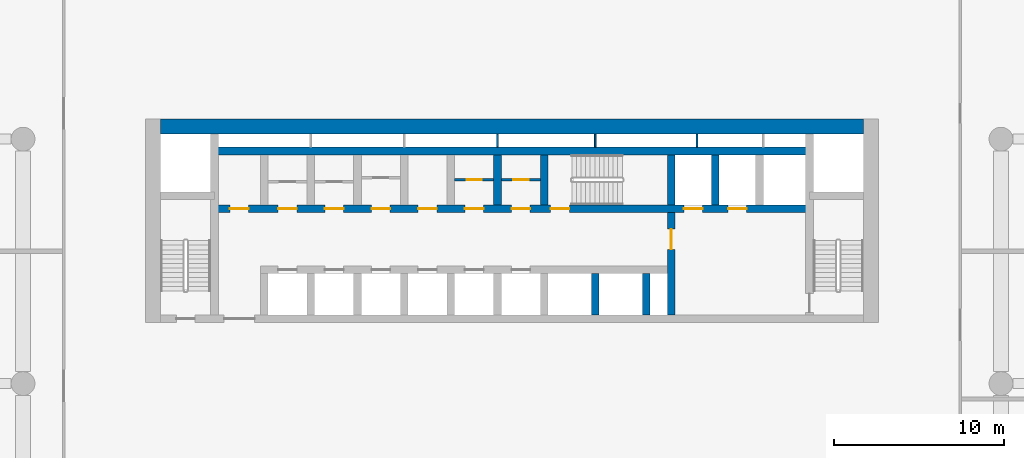
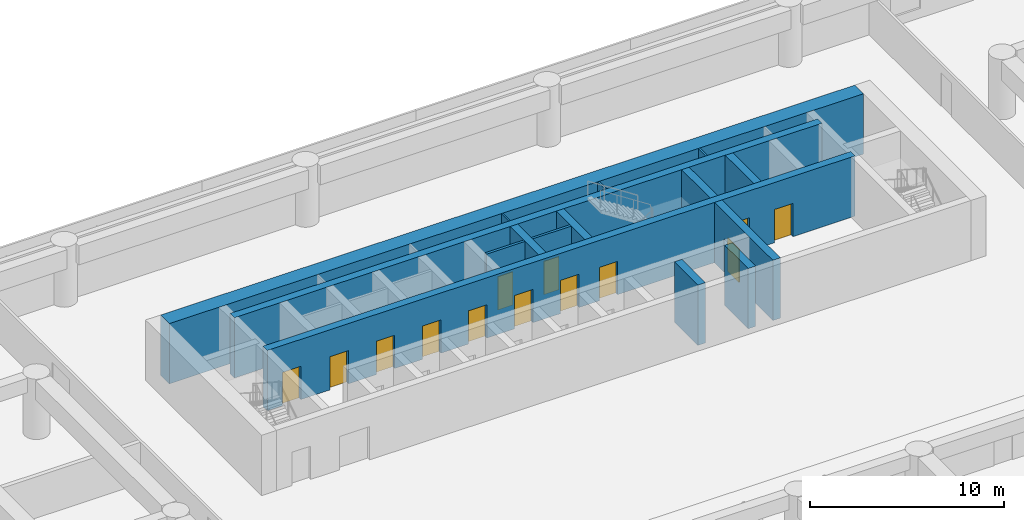
# One storey, part 8 of 24: 15 walls, 13 doors, 13 openings.
"""IFC4 building model written with IfcOpenShell, lengths in metres."""

from ifc_helpers import new_model, si_unit, direction, frame, frame_2d, origin, place, context, subcontext, project, spatial, rectangle, extrude, material, layer, layer_set, type_object, element, fill, save


model = new_model("IFC4")

# Units and contexts
model_context = context("Model", 3, precision=1e-05, world=origin(), true_north=direction((0.0, 1.0)))
body_context = subcontext(model_context, "Body", "Model", "MODEL_VIEW")
ifc_project = project(units=[si_unit("LENGTHUNIT", "METRE"), si_unit("AREAUNIT", "SQUARE_METRE"), si_unit("VOLUMEUNIT", "CUBIC_METRE"), si_unit("PLANEANGLEUNIT", "RADIAN"), si_unit("MASSUNIT", "GRAM", prefix="KILO")], contexts=[model_context])

# Site, building, storey
site_placement = place(None, origin())
site = spatial("IfcSite", under=ifc_project, at=site_placement, CompositionType="ELEMENT")
building_placement = place(site_placement, origin())
building = spatial("IfcBuilding", under=site, at=building_placement, Name="Saffron Iwan Residences", CompositionType="ELEMENT")
storey_placement = place(building_placement, frame((0.0, 0.0, 13.199951171875)))
storey = spatial("IfcBuildingStorey", under=building, at=storey_placement, Name="L02", CompositionType="ELEMENT", Elevation=13.199951171875)

# Wall, opening, door
ifc_material_1 = material(Name="Fire-rated plasterboard partition")
ifc_layer_1 = layer(ifc_material_1, 0.14990234375)
ifc_layer_set_1 = layer_set([ifc_layer_1], Name="Fire-rated plasterboard partition")
wall_type_1 = type_object("IfcWallType", Name="Core partition 150", PredefinedType="PARTITIONING", material=ifc_layer_set_1)
wall_1_placement = place(storey_placement, frame((47.02490234375, 74.39990234375, 0.0), z_axis=(0.0, 0.0, 1.0), x_axis=(1.0, 0.0, 0.0)))
wall_1 = element("IfcWall", 1, at=wall_1_placement, inside=storey, type_object=wall_type_1, Name="Core partition P04", PredefinedType="PARTITIONING", context=body_context, shape_type="SweptSolid", body=[
    extrude(rectangle(XDim=2.300048828125, YDim=0.14990234375, at=frame_2d((1.14990234375, 0.0))), origin(), (0.0, 0.0, 1.0), 3.800048828125),
])
opening_1_placement = place(wall_1_placement, frame((0.699951171875, 0.0, 0.0)))
opening_1 = element("IfcOpeningElement", 2, at=opening_1_placement, cuts=wall_1, Name="Opening SB", PredefinedType="OPENING", context=body_context, shape_type="SweptSolid", body=[
    extrude(rectangle(XDim=0.89990234375, YDim=2.10009765625, at=frame_2d((0.449951171875, 1.050048828125))), frame((0.0, 0.0849609375, 0.0), z_axis=(0.0, -1.0, 0.0), x_axis=(1.0, 0.0, 0.0)), (0.0, 0.0, 1.0), 0.169921875),
])
ifc_material_2 = material(Name="Steel fire door", Category="steel")
door_type_1 = type_object("IfcDoorType", Name="Store door 900", OperationType="NOTDEFINED", PredefinedType="DOOR", material=ifc_material_2)
door_1_placement = place(opening_1_placement, origin())
door_1 = element("IfcDoor", 3, at=door_1_placement, inside=storey, type_object=door_type_1, Name="Door Spares store", OperationType="SINGLE_SWING_LEFT", OverallHeight=2.10009765625, OverallWidth=0.89990234375, PredefinedType="DOOR", context=body_context, shape_type="SweptSolid", body=[
    extrude(rectangle(XDim=0.89990234375, YDim=2.10009765625, at=frame_2d((0.449951171875, 1.050048828125))), frame((0.0, 0.02490234375, 0.0), z_axis=(0.0, -1.0, 0.0), x_axis=(1.0, 0.0, 0.0)), (0.0, 0.0, 1.0), 0.050048828125),
])
fill(opening_1, door_1)

wall_2_placement = place(storey_placement, frame((49.77490234375, 74.39990234375, 0.0), z_axis=(0.0, 0.0, 1.0), x_axis=(1.0, 0.0, 0.0)))
wall_2 = element("IfcWall", 4, at=wall_2_placement, inside=storey, type_object=wall_type_1, Name="Core partition P05", PredefinedType="PARTITIONING", context=body_context, shape_type="SweptSolid", body=[
    extrude(rectangle(XDim=2.300048828125, YDim=0.14990234375, at=frame_2d((1.14990234375, 0.0))), origin(), (0.0, 0.0, 1.0), 3.800048828125),
])
opening_2_placement = place(wall_2_placement, frame((0.699951171875, 0.0, 0.0)))
opening_2 = element("IfcOpeningElement", 5, at=opening_2_placement, cuts=wall_2, Name="Opening SB", PredefinedType="OPENING", context=body_context, shape_type="SweptSolid", body=[
    extrude(rectangle(XDim=0.89990234375, YDim=2.10009765625, at=frame_2d((0.449951171875, 1.050048828125))), frame((0.0, 0.0849609375, 0.0), z_axis=(0.0, -1.0, 0.0), x_axis=(1.0, 0.0, 0.0)), (0.0, 0.0, 1.0), 0.169921875),
])
door_2_placement = place(opening_2_placement, origin())
door_2 = element("IfcDoor", 6, at=door_2_placement, inside=storey, type_object=door_type_1, Name="Door Battery room", OperationType="SINGLE_SWING_RIGHT", OverallHeight=2.10009765625, OverallWidth=0.89990234375, PredefinedType="DOOR", context=body_context, shape_type="SweptSolid", body=[
    extrude(rectangle(XDim=0.89990234375, YDim=2.10009765625, at=frame_2d((0.449951171875, 1.050048828125))), frame((0.0, 0.02490234375, 0.0), z_axis=(0.0, -1.0, 0.0), x_axis=(1.0, 0.0, 0.0)), (0.0, 0.0, 1.0), 0.050048828125),
])
fill(opening_2, door_2)

# Walls
ifc_layer_2 = layer(ifc_material_1, 0.10009765625)
ifc_layer_set_2 = layer_set([ifc_layer_2], Name="Fire-rated plasterboard partition")
wall_type_2 = type_object("IfcWallType", Name="Riser partition 100", PredefinedType="PARTITIONING", material=ifc_layer_set_2)
for number, where, z_axis, x_axis, name in (
    (7, (49.550048828125, 76.324951171875, 0.0), (0.0, 0.0, 1.0), (0.0, 1.0, 0.0), "Core partition P08"),
    (8, (55.300048828125, 76.324951171875, 0.0), (0.0, 0.0, 1.0), (0.0, 1.0, 0.0), "Core partition P09"),
    (9, (61.300048828125, 76.324951171875, 0.0), (0.0, 0.0, 1.0), (0.0, 1.0, 0.0), "Core partition P10"),
):
    element("IfcWall", number, at=place(storey_placement, frame(where, z_axis=z_axis, x_axis=x_axis)), inside=storey, type_object=wall_type_2, Name=name, PredefinedType="PARTITIONING", context=body_context, shape_type="SweptSolid", body=[
        extrude(rectangle(XDim=0.775146484375, YDim=0.10009765625, at=frame_2d((0.3876953125, 0.0))), origin(), (0.0, 0.0, 1.0), 3.800048828125),
    ])

# Wall, openings, doors
ifc_material_3 = material(Name="Concrete C60/75", Category="concrete")
ifc_layer_3 = layer(ifc_material_3, 0.449951171875)
ifc_layer_set_3 = layer_set([ifc_layer_3], Name="Concrete C60/75")
wall_type_3 = type_object("IfcWallType", Name="WALL CORE 450 C60/75 3800 HIGH", PredefinedType="SHEAR", material=ifc_layer_set_3)
wall_3_placement = place(storey_placement, frame((32.875, 72.699951171875, 0.0), z_axis=(0.0, 0.0, 1.0), x_axis=(1.0, 0.0, 0.0)))
wall_3 = element("IfcWall", 10, at=wall_3_placement, inside=storey, type_object=wall_type_3, Name="Core wall", PredefinedType="SHEAR", context=body_context, shape_type="SweptSolid", body=[
    extrude(rectangle(XDim=35.050048828125, YDim=0.449951171875, at=frame_2d((17.52490234375, 0.0))), origin(), (0.0, 0.0, 1.0), 3.800048828125),
])
opening_3_placement = place(wall_3_placement, frame((19.800048828125, 0.0, 0.0)))
opening_3 = element("IfcOpeningElement", 11, at=opening_3_placement, cuts=wall_3, Name="Opening SD", PredefinedType="OPENING", context=body_context, shape_type="SweptSolid", body=[
    extrude(rectangle(XDim=1.10009765625, YDim=2.10009765625, at=frame_2d((0.550048828125, 1.050048828125))), frame((0.0, 0.23486328125, 0.0), z_axis=(0.0, -1.0, 0.0), x_axis=(1.0, 0.0, 0.0)), (0.0, 0.0, 1.0), 0.469970703125),
])
opening_4_placement = place(wall_3_placement, frame((27.64990234375, 0.0, 0.0)))
opening_4 = element("IfcOpeningElement", 12, at=opening_4_placement, cuts=wall_3, Name="Opening LD", PredefinedType="OPENING", context=body_context, shape_type="SweptSolid", body=[
    extrude(rectangle(XDim=1.10009765625, YDim=2.10009765625, at=frame_2d((0.550048828125, 1.050048828125))), frame((0.0, 0.23486328125, 0.0), z_axis=(0.0, -1.0, 0.0), x_axis=(1.0, 0.0, 0.0)), (0.0, 0.0, 1.0), 0.469970703125),
])
opening_5_placement = place(wall_3_placement, frame((30.25, 0.0, 0.0)))
opening_5 = element("IfcOpeningElement", 13, at=opening_5_placement, cuts=wall_3, Name="Opening LD", PredefinedType="OPENING", context=body_context, shape_type="SweptSolid", body=[
    extrude(rectangle(XDim=1.10009765625, YDim=2.10009765625, at=frame_2d((0.550048828125, 1.050048828125))), frame((0.0, 0.23486328125, 0.0), z_axis=(0.0, -1.0, 0.0), x_axis=(1.0, 0.0, 0.0)), (0.0, 0.0, 1.0), 0.469970703125),
])
opening_6_placement = place(wall_3_placement, frame((3.75, 0.0, 0.0)))
opening_6 = element("IfcOpeningElement", 14, at=opening_6_placement, cuts=wall_3, Name="Opening SR", PredefinedType="OPENING", context=body_context, shape_type="SweptSolid", body=[
    extrude(rectangle(XDim=1.10009765625, YDim=2.10009765625, at=frame_2d((0.550048828125, 1.050048828125))), frame((0.0, 0.23486328125, 0.0), z_axis=(0.0, -1.0, 0.0), x_axis=(1.0, 0.0, 0.0)), (0.0, 0.0, 1.0), 0.469970703125),
])
opening_7_placement = place(wall_3_placement, frame((6.5, 0.0, 0.0)))
opening_7 = element("IfcOpeningElement", 15, at=opening_7_placement, cuts=wall_3, Name="Opening SR", PredefinedType="OPENING", context=body_context, shape_type="SweptSolid", body=[
    extrude(rectangle(XDim=1.10009765625, YDim=2.10009765625, at=frame_2d((0.550048828125, 1.050048828125))), frame((0.0, 0.23486328125, 0.0), z_axis=(0.0, -1.0, 0.0), x_axis=(1.0, 0.0, 0.0)), (0.0, 0.0, 1.0), 0.469970703125),
])
opening_8_placement = place(wall_3_placement, frame((9.25, 0.0, 0.0)))
opening_8 = element("IfcOpeningElement", 16, at=opening_8_placement, cuts=wall_3, Name="Opening SR", PredefinedType="OPENING", context=body_context, shape_type="SweptSolid", body=[
    extrude(rectangle(XDim=1.10009765625, YDim=2.10009765625, at=frame_2d((0.550048828125, 1.050048828125))), frame((0.0, 0.23486328125, 0.0), z_axis=(0.0, -1.0, 0.0), x_axis=(1.0, 0.0, 0.0)), (0.0, 0.0, 1.0), 0.469970703125),
])
opening_9_placement = place(wall_3_placement, frame((12.0, 0.0, 0.0)))
opening_9 = element("IfcOpeningElement", 17, at=opening_9_placement, cuts=wall_3, Name="Opening SR", PredefinedType="OPENING", context=body_context, shape_type="SweptSolid", body=[
    extrude(rectangle(XDim=1.10009765625, YDim=2.10009765625, at=frame_2d((0.550048828125, 1.050048828125))), frame((0.0, 0.23486328125, 0.0), z_axis=(0.0, -1.0, 0.0), x_axis=(1.0, 0.0, 0.0)), (0.0, 0.0, 1.0), 0.469970703125),
])
opening_10_placement = place(wall_3_placement, frame((14.75, 0.0, 0.0)))
opening_10 = element("IfcOpeningElement", 18, at=opening_10_placement, cuts=wall_3, Name="Opening SR", PredefinedType="OPENING", context=body_context, shape_type="SweptSolid", body=[
    extrude(rectangle(XDim=1.10009765625, YDim=2.10009765625, at=frame_2d((0.550048828125, 1.050048828125))), frame((0.0, 0.23486328125, 0.0), z_axis=(0.0, -1.0, 0.0), x_axis=(1.0, 0.0, 0.0)), (0.0, 0.0, 1.0), 0.469970703125),
])
opening_11_placement = place(wall_3_placement, frame((17.5, 0.0, 0.0)))
opening_11 = element("IfcOpeningElement", 19, at=opening_11_placement, cuts=wall_3, Name="Opening SR", PredefinedType="OPENING", context=body_context, shape_type="SweptSolid", body=[
    extrude(rectangle(XDim=1.10009765625, YDim=2.10009765625, at=frame_2d((0.550048828125, 1.050048828125))), frame((0.0, 0.23486328125, 0.0), z_axis=(0.0, -1.0, 0.0), x_axis=(1.0, 0.0, 0.0)), (0.0, 0.0, 1.0), 0.469970703125),
])
opening_12_placement = place(wall_3_placement, frame((0.91259765625, 0.0, 0.0)))
opening_12 = element("IfcOpeningElement", 20, at=opening_12_placement, cuts=wall_3, Name="Opening SR", PredefinedType="OPENING", context=body_context, shape_type="SweptSolid", body=[
    extrude(rectangle(XDim=1.10009765625, YDim=2.10009765625, at=frame_2d((0.550048828125, 1.050048828125))), frame((0.0, 0.23486328125, 0.0), z_axis=(0.0, -1.0, 0.0), x_axis=(1.0, 0.0, 0.0)), (0.0, 0.0, 1.0), 0.469970703125),
])
door_type_2 = type_object("IfcDoorType", Name="Lift landing door 1100", OperationType="SLIDING_TO_LEFT", PredefinedType="DOOR", material=ifc_material_2)
door_3_placement = place(opening_4_placement, origin())
door_3 = element("IfcDoor", 21, at=door_3_placement, inside=storey, type_object=door_type_2, Name="Landing doors FF1", OperationType="SLIDING_TO_LEFT", OverallHeight=2.10009765625, OverallWidth=1.10009765625, PredefinedType="DOOR", context=body_context, shape_type="SweptSolid", body=[
    extrude(rectangle(XDim=1.10009765625, YDim=2.10009765625, at=frame_2d((0.550048828125, 1.050048828125))), frame((0.0, 0.02490234375, 0.0), z_axis=(0.0, -1.0, 0.0), x_axis=(1.0, 0.0, 0.0)), (0.0, 0.0, 1.0), 0.050048828125),
])
fill(opening_4, door_3)
door_4_placement = place(opening_5_placement, origin())
door_4 = element("IfcDoor", 22, at=door_4_placement, inside=storey, type_object=door_type_2, Name="Landing doors FF2", OperationType="SLIDING_TO_LEFT", OverallHeight=2.10009765625, OverallWidth=1.10009765625, PredefinedType="DOOR", context=body_context, shape_type="SweptSolid", body=[
    extrude(rectangle(XDim=1.10009765625, YDim=2.10009765625, at=frame_2d((0.550048828125, 1.050048828125))), frame((0.0, 0.02490234375, 0.0), z_axis=(0.0, -1.0, 0.0), x_axis=(1.0, 0.0, 0.0)), (0.0, 0.0, 1.0), 0.050048828125),
])
fill(opening_5, door_4)
door_type_3 = type_object("IfcDoorType", Name="Service door 1100", OperationType="NOTDEFINED", PredefinedType="DOOR", material=ifc_material_2)
door_5_placement = place(opening_6_placement, origin())
door_5 = element("IfcDoor", 23, at=door_5_placement, inside=storey, type_object=door_type_3, Name="Door Maintenance store", OperationType="SINGLE_SWING_LEFT", OverallHeight=2.10009765625, OverallWidth=1.10009765625, PredefinedType="DOOR", context=body_context, shape_type="SweptSolid", body=[
    extrude(rectangle(XDim=1.10009765625, YDim=2.10009765625, at=frame_2d((0.550048828125, 1.050048828125))), frame((0.0, 0.02490234375, 0.0), z_axis=(0.0, -1.0, 0.0), x_axis=(1.0, 0.0, 0.0)), (0.0, 0.0, 1.0), 0.050048828125),
])
fill(opening_6, door_5)
door_6_placement = place(opening_7_placement, origin())
door_6 = element("IfcDoor", 24, at=door_6_placement, inside=storey, type_object=door_type_3, Name="Door Linen store", OperationType="SINGLE_SWING_LEFT", OverallHeight=2.10009765625, OverallWidth=1.10009765625, PredefinedType="DOOR", context=body_context, shape_type="SweptSolid", body=[
    extrude(rectangle(XDim=1.10009765625, YDim=2.10009765625, at=frame_2d((0.550048828125, 1.050048828125))), frame((0.0, 0.02490234375, 0.0), z_axis=(0.0, -1.0, 0.0), x_axis=(1.0, 0.0, 0.0)), (0.0, 0.0, 1.0), 0.050048828125),
])
fill(opening_7, door_6)
door_7_placement = place(opening_8_placement, origin())
door_7 = element("IfcDoor", 25, at=door_7_placement, inside=storey, type_object=door_type_3, Name="Door Pantry", OperationType="SINGLE_SWING_LEFT", OverallHeight=2.10009765625, OverallWidth=1.10009765625, PredefinedType="DOOR", context=body_context, shape_type="SweptSolid", body=[
    extrude(rectangle(XDim=1.10009765625, YDim=2.10009765625, at=frame_2d((0.550048828125, 1.050048828125))), frame((0.0, 0.02490234375, 0.0), z_axis=(0.0, -1.0, 0.0), x_axis=(1.0, 0.0, 0.0)), (0.0, 0.0, 1.0), 0.050048828125),
])
fill(opening_8, door_7)
door_8_placement = place(opening_9_placement, origin())
door_8 = element("IfcDoor", 26, at=door_8_placement, inside=storey, type_object=door_type_3, Name="Door Electrical room", OperationType="SINGLE_SWING_LEFT", OverallHeight=2.10009765625, OverallWidth=1.10009765625, PredefinedType="DOOR", context=body_context, shape_type="SweptSolid", body=[
    extrude(rectangle(XDim=1.10009765625, YDim=2.10009765625, at=frame_2d((0.550048828125, 1.050048828125))), frame((0.0, 0.02490234375, 0.0), z_axis=(0.0, -1.0, 0.0), x_axis=(1.0, 0.0, 0.0)), (0.0, 0.0, 1.0), 0.050048828125),
])
fill(opening_9, door_8)
door_9_placement = place(opening_10_placement, origin())
door_9 = element("IfcDoor", 27, at=door_9_placement, inside=storey, type_object=door_type_3, Name="Door Luggage store", OperationType="SINGLE_SWING_LEFT", OverallHeight=2.10009765625, OverallWidth=1.10009765625, PredefinedType="DOOR", context=body_context, shape_type="SweptSolid", body=[
    extrude(rectangle(XDim=1.10009765625, YDim=2.10009765625, at=frame_2d((0.550048828125, 1.050048828125))), frame((0.0, 0.02490234375, 0.0), z_axis=(0.0, -1.0, 0.0), x_axis=(1.0, 0.0, 0.0)), (0.0, 0.0, 1.0), 0.050048828125),
])
fill(opening_10, door_9)
door_10_placement = place(opening_11_placement, origin())
door_10 = element("IfcDoor", 28, at=door_10_placement, inside=storey, type_object=door_type_3, Name="Door Refuse store", OperationType="SINGLE_SWING_LEFT", OverallHeight=2.10009765625, OverallWidth=1.10009765625, PredefinedType="DOOR", context=body_context, shape_type="SweptSolid", body=[
    extrude(rectangle(XDim=1.10009765625, YDim=2.10009765625, at=frame_2d((0.550048828125, 1.050048828125))), frame((0.0, 0.02490234375, 0.0), z_axis=(0.0, -1.0, 0.0), x_axis=(1.0, 0.0, 0.0)), (0.0, 0.0, 1.0), 0.050048828125),
])
fill(opening_11, door_10)
door_11_placement = place(opening_12_placement, origin())
door_11 = element("IfcDoor", 29, at=door_11_placement, inside=storey, type_object=door_type_3, Name="Door Caretaker's room", OperationType="SINGLE_SWING_LEFT", OverallHeight=2.10009765625, OverallWidth=1.10009765625, PredefinedType="DOOR", context=body_context, shape_type="SweptSolid", body=[
    extrude(rectangle(XDim=1.10009765625, YDim=2.10009765625, at=frame_2d((0.550048828125, 1.050048828125))), frame((0.0, 0.02490234375, 0.0), z_axis=(0.0, -1.0, 0.0), x_axis=(1.0, 0.0, 0.0)), (0.0, 0.0, 1.0), 0.050048828125),
])
fill(opening_12, door_11)
door_type_4 = type_object("IfcDoorType", Name="Stair door 1100", OperationType="NOTDEFINED", PredefinedType="DOOR", material=ifc_material_2)
door_12_placement = place(opening_3_placement, origin())
door_12 = element("IfcDoor", 30, at=door_12_placement, inside=storey, type_object=door_type_4, Name="Stair door ST-C", OperationType="SINGLE_SWING_LEFT", OverallHeight=2.10009765625, OverallWidth=1.10009765625, PredefinedType="DOOR", context=body_context, shape_type="SweptSolid", body=[
    extrude(rectangle(XDim=1.10009765625, YDim=2.10009765625, at=frame_2d((0.550048828125, 1.050048828125))), frame((0.0, 0.02490234375, 0.0), z_axis=(0.0, -1.0, 0.0), x_axis=(1.0, 0.0, 0.0)), (0.0, 0.0, 1.0), 0.050048828125),
])
fill(opening_3, door_12)

# Wall
wall_4_placement = place(storey_placement, frame((32.875, 76.10009765625, 0.0), z_axis=(0.0, 0.0, 1.0), x_axis=(1.0, 0.0, 0.0)))
element("IfcWall", 31, at=wall_4_placement, inside=storey, type_object=wall_type_3, Name="Core wall", PredefinedType="SHEAR", context=body_context, shape_type="SweptSolid", body=[
    extrude(rectangle(XDim=35.050048828125, YDim=0.449951171875, at=frame_2d((17.52490234375, 0.0))), origin(), (0.0, 0.0, 1.0), 3.800048828125),
])

# Wall, opening, door
wall_5_placement = place(storey_placement, frame((59.77490234375, 66.449951171875, 0.0), z_axis=(0.0, 0.0, 1.0), x_axis=(0.0, 1.0, 0.0)))
wall_5 = element("IfcWall", 32, at=wall_5_placement, inside=storey, type_object=wall_type_3, Name="Core wall", PredefinedType="SHEAR", context=body_context, shape_type="SweptSolid", body=[
    extrude(rectangle(XDim=6.025146484375, YDim=0.449951171875, at=frame_2d((3.0126953125, 0.0))), origin(), (0.0, 0.0, 1.0), 3.800048828125),
])
opening_13_placement = place(wall_5_placement, frame((3.85009765625, 0.0, 0.0)))
opening_13 = element("IfcOpeningElement", 33, at=opening_13_placement, cuts=wall_5, Name="Opening FD", PredefinedType="OPENING", context=body_context, shape_type="SweptSolid", body=[
    extrude(rectangle(XDim=1.199951171875, YDim=2.10009765625, at=frame_2d((0.60009765625, 1.050048828125))), frame((0.0, 0.23486328125, 0.0), z_axis=(0.0, -1.0, 0.0), x_axis=(1.0, 0.0, 0.0)), (0.0, 0.0, 1.0), 0.469970703125),
])
door_type_5 = type_object("IfcDoorType", Name="Firefighting lobby door 1200", OperationType="NOTDEFINED", PredefinedType="DOOR", material=ifc_material_2)
door_13_placement = place(opening_13_placement, origin())
door_13 = element("IfcDoor", 34, at=door_13_placement, inside=storey, type_object=door_type_5, Name="Firefighting lobby door", OperationType="SINGLE_SWING_RIGHT", OverallHeight=2.10009765625, OverallWidth=1.199951171875, PredefinedType="DOOR", context=body_context, shape_type="SweptSolid", body=[
    extrude(rectangle(XDim=1.199951171875, YDim=2.10009765625, at=frame_2d((0.60009765625, 1.050048828125))), frame((0.0, 0.02490234375, 0.0), z_axis=(0.0, -1.0, 0.0), x_axis=(1.0, 0.0, 0.0)), (0.0, 0.0, 1.0), 0.050048828125),
])
fill(opening_13, door_13)

# Walls
wall_6_placement = place(storey_placement, frame((59.77490234375, 72.925048828125, 0.0), z_axis=(0.0, 0.0, 1.0), x_axis=(0.0, 1.0, 0.0)))
element("IfcWall", 35, at=wall_6_placement, inside=storey, type_object=wall_type_3, Name="Core wall", PredefinedType="SHEAR", context=body_context, shape_type="SweptSolid", body=[
    extrude(rectangle(XDim=2.949951171875, YDim=0.449951171875, at=frame_2d((1.47509765625, 0.0))), origin(), (0.0, 0.0, 1.0), 3.800048828125),
])
for number, where, z_axis, x_axis, name in (
    (36, (55.300048828125, 66.449951171875, 0.0), (0.0, 0.0, 1.0), (0.0, 1.0, 0.0), "Core wall"),
    (37, (58.300048828125, 66.449951171875, 0.0), (0.0, 0.0, 1.0), (0.0, 1.0, 0.0), "Core wall"),
):
    element("IfcWall", number, at=place(storey_placement, frame(where, z_axis=z_axis, x_axis=x_axis)), inside=storey, type_object=wall_type_3, Name=name, PredefinedType="SHEAR", context=body_context, shape_type="SweptSolid", body=[
        extrude(rectangle(XDim=2.425048828125, YDim=0.449951171875, at=frame_2d((1.21240234375, 0.0))), origin(), (0.0, 0.0, 1.0), 3.800048828125),
    ])
for number, where, z_axis, x_axis, name in (
    (38, (49.550048828125, 72.925048828125, 0.0), (0.0, 0.0, 1.0), (0.0, 1.0, 0.0), "Core wall"),
    (39, (52.300048828125, 72.925048828125, 0.0), (0.0, 0.0, 1.0), (0.0, 1.0, 0.0), "Core wall"),
    (40, (62.375, 72.925048828125, 0.0), (0.0, 0.0, 1.0), (0.0, 1.0, 0.0), "Core wall"),
):
    element("IfcWall", number, at=place(storey_placement, frame(where, z_axis=z_axis, x_axis=x_axis)), inside=storey, type_object=wall_type_3, Name=name, PredefinedType="SHEAR", context=body_context, shape_type="SweptSolid", body=[
        extrude(rectangle(XDim=2.949951171875, YDim=0.449951171875, at=frame_2d((1.47509765625, 0.0))), origin(), (0.0, 0.0, 1.0), 3.800048828125),
    ])
ifc_layer_4 = layer(ifc_material_3, 0.89990234375)
ifc_layer_set_4 = layer_set([ifc_layer_4], Name="Concrete C60/75")
wall_type_4 = type_object("IfcWallType", Name="WALL CORE 900 C60/75 3800 HIGH", PredefinedType="SHEAR", material=ifc_layer_set_4)
wall_7_placement = place(storey_placement, frame((29.699951171875, 77.550048828125, 0.0), z_axis=(0.0, 0.0, 1.0), x_axis=(1.0, 0.0, 0.0)))
element("IfcWall", 41, at=wall_7_placement, inside=storey, type_object=wall_type_4, Name="Core wall", PredefinedType="SHEAR", context=body_context, shape_type="SweptSolid", body=[
    extrude(rectangle(XDim=41.400146484375, YDim=0.89990234375, at=frame_2d((20.7001953125, 0.0))), origin(), (0.0, 0.0, 1.0), 3.800048828125),
])

save(model, "model.ifc")
